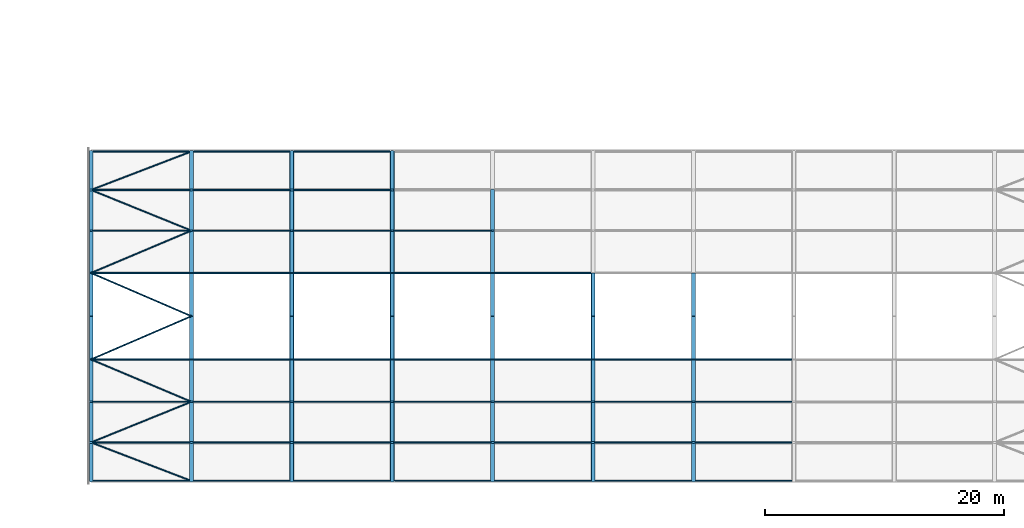
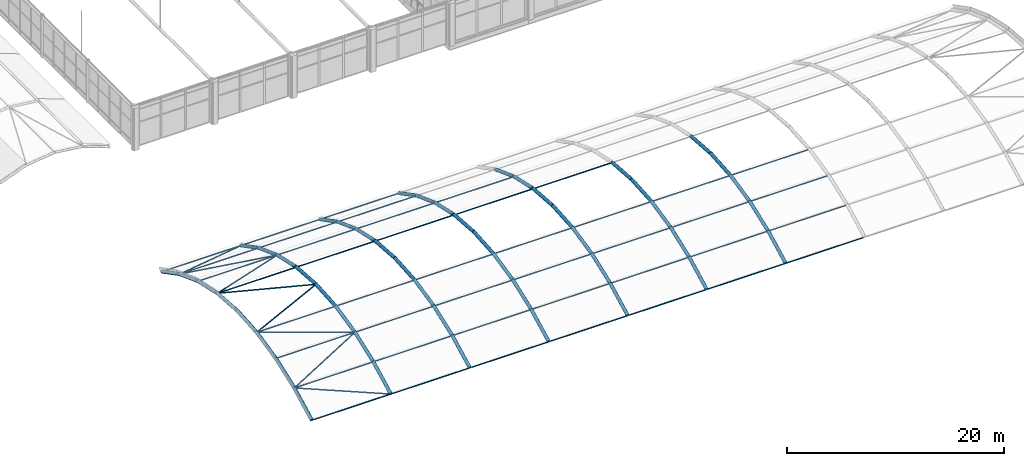
# One storey, part 16 of 167: 100 members.
"""IFC4 building model written with IfcOpenShell, lengths in metres."""

import ifcopenshell
import ifcopenshell.guid

model = None  # the IFC model being written
_history = None  # IfcOwnerHistory: only IFC2X3 demands one
_inside = {}  # id of a spatial element -> (the spatial element, [elements in it])
_under = {}  # id of a project, library or spatial element -> (it, [spatial elements below it])
_declared = {}  # id of a project -> (the project, [libraries it declares])
_typed = {}  # id of a type object -> (the type object, [elements of that type])
_made_of = {}  # id of a material, layer set ... -> (it, [elements and type objects made of it])


def new_model(schema):
    """Start an empty IFC model of exactly this schema.

    Asked for "IFC4X3", IfcOpenShell would pick the latest addendum, in which some entities
    have other attributes; the version numbers below select the first issue.
    IFC2X3 requires an IfcOwnerHistory on every rooted entity: one is made here for all.
    """
    global model, _history
    if schema == "IFC4X3":
        model = ifcopenshell.file(schema_version=(4, 3, 0, 0))
    else:
        model = ifcopenshell.file(schema=schema)
    _inside.clear()
    _under.clear()
    _declared.clear()
    _typed.clear()
    _made_of.clear()
    _history = None
    if model.schema == "IFC2X3":
        org = make("IfcOrganization", Name="unknown")
        user = make(
            "IfcPersonAndOrganization",
            ThePerson=make("IfcPerson", FamilyName="unknown"),
            TheOrganization=org,
        )
        app = make(
            "IfcApplication",
            ApplicationDeveloper=org,
            Version="unknown",
            ApplicationFullName="unknown",
            ApplicationIdentifier="unknown",
        )
        _history = make(
            "IfcOwnerHistory",
            OwningUser=user,
            OwningApplication=app,
            ChangeAction="ADDED",
            CreationDate=0,
        )
    return model


def make(cls, **values):
    """One entity of the class cls with the attributes given. An attribute that is None is left unset."""
    return model.create_entity(
        cls, **{name: value for name, value in values.items() if value is not None}
    )


def rooted(cls, **values):
    """An entity with a GlobalId (a new one), such as an element, a storey or a relation."""
    return make(cls, GlobalId=ifcopenshell.guid.new(), OwnerHistory=_history, **values)


def si_unit(unit_type, name, prefix=None):
    """IfcSIUnit, for example si_unit("LENGTHUNIT", "METRE", prefix="MILLI")."""
    return make("IfcSIUnit", UnitType=unit_type, Prefix=prefix, Name=name)


def assignment(units):
    """IfcUnitAssignment: the units of a project."""
    return None if units is None else make("IfcUnitAssignment", Units=units)


def point(xyz):
    """IfcCartesianPoint."""
    return None if xyz is None else make("IfcCartesianPoint", Coordinates=xyz)


def direction(xyz):
    """IfcDirection."""
    return None if xyz is None else make("IfcDirection", DirectionRatios=xyz)


def frame(location, z_axis=None, x_axis=None):
    """IfcAxis2Placement3D, a coordinate frame: its origin and axes. An axis left out is left unset."""
    return make(
        "IfcAxis2Placement3D",
        Location=point(location),
        Axis=direction(z_axis),
        RefDirection=direction(x_axis),
    )


def frame_2d(location, x_axis=None):
    """IfcAxis2Placement2D, a coordinate frame in the plane: its origin and x axis."""
    return make(
        "IfcAxis2Placement2D", Location=point(location), RefDirection=direction(x_axis)
    )


def origin():
    """The frame at (0, 0, 0) with its axes left unset."""
    return frame((0.0, 0.0, 0.0))


def origin_2d():
    """The frame at (0, 0) in the plane with its x axis left unset."""
    return frame_2d((0.0, 0.0))


def place(relative_to, where):
    """IfcLocalPlacement: puts the frame where relative to a parent placement (None: the world)."""
    return make(
        "IfcLocalPlacement", PlacementRelTo=relative_to, RelativePlacement=where
    )


def context(
    kind, dimensions, precision=None, world=None, true_north=None, identifier=None
):
    """IfcGeometricRepresentationContext, for example the 3D "Model" context."""
    return make(
        "IfcGeometricRepresentationContext",
        ContextIdentifier=identifier,
        ContextType=kind,
        CoordinateSpaceDimension=dimensions,
        Precision=precision,
        WorldCoordinateSystem=world,
        TrueNorth=true_north,
    )


def subcontext(parent, identifier, kind, view, scale=None):
    """IfcGeometricRepresentationSubContext, for example "Body" below "Model"."""
    return make(
        "IfcGeometricRepresentationSubContext",
        ContextIdentifier=identifier,
        ContextType=kind,
        ParentContext=parent,
        TargetScale=scale,
        TargetView=view,
    )


def project(units=None, contexts=None):
    """IfcProject with its units and contexts."""
    return rooted(
        "IfcProject",
        Name="project",
        RepresentationContexts=contexts,
        UnitsInContext=assignment(units),
    )


def spatial(cls, under=None, at=None, **own):
    """A site, building, storey or space (cls), placed at a placement, below another one or the project."""
    s = rooted(cls, ObjectPlacement=at, **own)
    if under is not None:
        _under.setdefault(under.id(), (under, []))[1].append(s)
    return s


def profile(cls, at=None, kind="AREA", **sizes):
    """A parametric profile (cls). Its sizes go by their IFC names, for example OverallWidth=200.0."""
    return make(cls, ProfileType=kind, Position=at, **sizes)


def hollow_circle(**sizes):
    """IfcCircleHollowProfileDef."""
    return profile("IfcCircleHollowProfileDef", **sizes)


def extrude(swept, where, along, depth):
    """IfcExtrudedAreaSolid: the profile swept, set in the frame where, extruded along a direction by depth."""
    return make(
        "IfcExtrudedAreaSolid",
        SweptArea=swept,
        Position=where,
        ExtrudedDirection=direction(along),
        Depth=depth,
    )


def shape(context_of_items, identifier, shape_type, items):
    """IfcShapeRepresentation: the items that make up one representation, for example the "Body"."""
    return make(
        "IfcShapeRepresentation",
        ContextOfItems=context_of_items,
        RepresentationIdentifier=identifier,
        RepresentationType=shape_type,
        Items=items,
    )


def material(Name=None, Category=None):
    """IfcMaterial."""
    return make("IfcMaterial", Name=Name, Category=Category)


def material_profile(
    of_material, cross_section, Name=None, Category=None, Priority=None
):
    """IfcMaterialProfile: a cross section and its material."""
    return make(
        "IfcMaterialProfile",
        Name=Name,
        Material=of_material,
        Profile=cross_section,
        Priority=Priority,
        Category=Category,
    )


def profile_set(profiles, Name=None, composite=None):
    """IfcMaterialProfileSet."""
    return make(
        "IfcMaterialProfileSet",
        Name=Name,
        MaterialProfiles=profiles,
        CompositeProfile=composite,
    )


def made_of(thing, what):
    """Note that an element or type object is made of a material, layer set ...; save() writes the relation."""
    if what is not None:
        _made_of.setdefault(what.id(), (what, []))[1].append(thing)
    return thing


def type_object(cls, material=None, **own):
    """A type object (cls), such as IfcWallType, which elements share."""
    return made_of(rooted(cls, **own), material)


def element(
    cls,
    number,
    at=None,
    inside=None,
    cuts=None,
    type_object=None,
    material=None,
    context=None,
    identifier="Body",
    shape_type=None,
    held_by="IfcProductDefinitionShape",
    body=None,
    shapes=None,
    **own,
):
    """One element of the class cls, such as IfcWall. Its Tag is "e" and its number.

    at: its placement. inside: the storey or other place that contains it. cuts: it is an
    opening in that element (IfcRelVoidsElement). A single representation is given by context,
    identifier, shape_type and body (its items); several are given by shapes. held_by: the class
    of the entity that holds the representations. save() writes the other relations.
    """
    e = rooted(cls, Tag="e%d" % number, ObjectPlacement=at, **own)
    if body is not None:
        shapes = [shape(context, identifier, shape_type, body)]
    if shapes is not None:
        e.Representation = make(held_by, Representations=shapes)
    if inside is not None:
        _inside.setdefault(inside.id(), (inside, []))[1].append(e)
    if cuts is not None:
        rooted(
            "IfcRelVoidsElement", RelatingBuildingElement=cuts, RelatedOpeningElement=e
        )
    if type_object is not None:
        _typed.setdefault(type_object.id(), (type_object, []))[1].append(e)
    return made_of(e, material)


def aggregate(whole, parts):
    """IfcRelAggregates: a whole, such as a stair, and the parts it consists of."""
    return rooted("IfcRelAggregates", RelatingObject=whole, RelatedObjects=parts)


def save(model, path):
    """Write the relations noted so far, then the file.

    IfcRelAggregates (storeys below a building ...), IfcRelContainedInSpatialStructure (elements
    in a storey), IfcRelDefinesByType, IfcRelAssociatesMaterial and IfcRelDeclares: one each for
    every whole, place, type object, material and project.
    """
    for whole, parts in _under.values():
        aggregate(whole, parts)
    for where, things in _inside.values():
        rooted(
            "IfcRelContainedInSpatialStructure",
            RelatedElements=things,
            RelatingStructure=where,
        )
    for kind, things in _typed.values():
        rooted("IfcRelDefinesByType", RelatedObjects=things, RelatingType=kind)
    for what, things in _made_of.values():
        rooted("IfcRelAssociatesMaterial", RelatedObjects=things, RelatingMaterial=what)
    for by, libraries in _declared.values():
        rooted("IfcRelDeclares", RelatingContext=by, RelatedDefinitions=libraries)
    model.write(path)


model = new_model("IFC4")

# Units and contexts
model_context = context("Model", 3, precision=1e-05, world=origin(), true_north=direction((0.0, 1.0)))
body_context = subcontext(model_context, "Body", "Model", "MODEL_VIEW")
ifc_project = project(units=[si_unit("LENGTHUNIT", "METRE"), si_unit("AREAUNIT", "SQUARE_METRE"), si_unit("VOLUMEUNIT", "CUBIC_METRE"), si_unit("PLANEANGLEUNIT", "RADIAN"), si_unit("MASSUNIT", "GRAM", prefix="KILO")], contexts=[model_context])

# Site, building, storey
site_placement = place(None, origin())
site = spatial("IfcSite", under=ifc_project, at=site_placement, CompositionType="ELEMENT")
building_placement = place(site_placement, origin())
building = spatial("IfcBuilding", under=site, at=building_placement, Name="Catenary Quay Ferry Terminal", CompositionType="ELEMENT")
storey_placement = place(building_placement, frame((0.0, 0.0, 6.0)))
storey = spatial("IfcBuildingStorey", under=building, at=storey_placement, Name="L01", CompositionType="ELEMENT", Elevation=6.0)

# Members
ifc_material_1 = material(Name="Steel S355", Category="steel")
ifc_material_profile_1 = material_profile(ifc_material_1, hollow_circle(Radius=0.06982421875, WallThickness=0.008056640625, at=origin_2d()), Name="CHS 139.7x8")
ifc_profile_set_1 = profile_set([ifc_material_profile_1], Name="Steel S355")
member_type_1 = type_object("IfcMemberType", Name="BR1 CHS 139.7x8", PredefinedType="BRACE", material=ifc_profile_set_1)
for number, where, z_axis, x_axis, name in (
    (1, (25.199951171875, 19.818115234375, 1.012939453125), (-0.918039723201, 0.351916116645, 0.182642036427), (-0.357936800367, -0.933745814953, 0.0), "Roof brace BR-CA-01-02"),
    (2, (16.800048828125, 23.0380859375, 2.68408203125), (0.918029973188, 0.371790665768, 0.13781389326), (-0.375372416103, 0.926874074095, 0.0), "Roof brace BR-CA-01-03"),
):
    element("IfcMember", number, at=place(storey_placement, frame(where, z_axis=z_axis, x_axis=x_axis)), inside=storey, type_object=member_type_1, Name=name, PredefinedType="BRACE", context=body_context, shape_type="SweptSolid", body=[
        extrude(hollow_circle(Radius=0.06982421875, WallThickness=0.008056640625, at=origin_2d()), origin(), (0.0, 0.0, 1.0), 9.14990234375),
    ])
member_1_placement = place(storey_placement, frame((25.199951171875, 26.43994140625, 3.945068359375), z_axis=(-0.918018139604, 0.387101295395, 0.085995828168), x_axis=(-0.388540645343, -0.921431585586, 0.0)))
element("IfcMember", 3, at=member_1_placement, inside=storey, type_object=member_type_1, Name="Roof brace BR-CA-01-04", PredefinedType="BRACE", context=body_context, shape_type="SweptSolid", body=[
    extrude(hollow_circle(Radius=0.06982421875, WallThickness=0.008056640625, at=origin_2d()), origin(), (0.0, 0.0, 1.0), 9.150146484375),
])
for number, where, z_axis, x_axis, name in (
    (4, (16.800048828125, 29.98193359375, 4.73193359375), (0.918028527788, 0.39543052903, 0.029297079681), (-0.395600341097, 0.918422762198, 0.0), "Roof brace BR-CA-01-05"),
    (5, (25.199951171875, 33.60009765625, 5.0), (-0.918038213702, 0.395408018626, -0.029297388788), (-0.395577824611, -0.918432460596, 0.0), "Roof brace BR-CA-01-06"),
):
    element("IfcMember", number, at=place(storey_placement, frame(where, z_axis=z_axis, x_axis=x_axis)), inside=storey, type_object=member_type_1, Name=name, PredefinedType="BRACE", context=body_context, shape_type="SweptSolid", body=[
        extrude(hollow_circle(Radius=0.06982421875, WallThickness=0.008056640625, at=origin_2d()), origin(), (0.0, 0.0, 1.0), 9.14990234375),
    ])
member_2_placement = place(storey_placement, frame((16.800048828125, 37.218017578125, 4.73193359375), z_axis=(0.918018139604, 0.387101295395, -0.085995828168), x_axis=(-0.388540645343, 0.921431585586, 0.0)))
element("IfcMember", 6, at=member_2_placement, inside=storey, type_object=member_type_1, Name="Roof brace BR-CA-01-07", PredefinedType="BRACE", context=body_context, shape_type="SweptSolid", body=[
    extrude(hollow_circle(Radius=0.06982421875, WallThickness=0.008056640625, at=origin_2d()), origin(), (0.0, 0.0, 1.0), 9.150146484375),
])
for number, where, z_axis, x_axis, name in (
    (7, (25.199951171875, 40.760009765625, 3.945068359375), (-0.918020865941, 0.371813659446, -0.137812526088), (-0.375395559198, -0.926864701094, 0.0), "Roof brace BR-CA-01-08"),
    (8, (16.800048828125, 44.162109375, 2.68408203125), (0.918039723201, 0.351916116645, -0.182642036427), (-0.357936800367, 0.933745814953, 0.0), "Roof brace BR-CA-01-09"),
):
    element("IfcMember", number, at=place(storey_placement, frame(where, z_axis=z_axis, x_axis=x_axis)), inside=storey, type_object=member_type_1, Name=name, PredefinedType="BRACE", context=body_context, shape_type="SweptSolid", body=[
        extrude(hollow_circle(Radius=0.06982421875, WallThickness=0.008056640625, at=origin_2d()), origin(), (0.0, 0.0, 1.0), 9.14990234375),
    ])
ifc_material_2 = material(Name="Steel S355", Category="steel")
ifc_material_profile_2 = material_profile(ifc_material_2, hollow_circle(Radius=0.06982421875, WallThickness=0.008056640625, at=origin_2d()), Name="CHS 139.7x8")
ifc_profile_set_2 = profile_set([ifc_material_profile_2], Name="Steel S355")
member_type_2 = type_object("IfcMemberType", Name="PU1 CHS 139.7x8", PredefinedType="PURLIN", material=ifc_profile_set_2)
for number, where, z_axis, x_axis, name in (
    (9, (16.971923828125, 19.818115234375, 1.012939453125), (1.0, 0.0, 0.0), (0.0, 1.0, 0.0), "Purlin PU-CA-01-01"),
    (10, (16.971923828125, 23.0380859375, 2.68408203125), (1.0, 0.0, 0.0), (0.0, 1.0, 0.0), "Purlin PU-CA-01-02"),
    (11, (16.971923828125, 26.43994140625, 3.945068359375), (1.0, 0.0, 0.0), (0.0, 1.0, 0.0), "Purlin PU-CA-01-03"),
    (12, (16.971923828125, 29.98193359375, 4.73193359375), (1.0, 0.0, 0.0), (0.0, 1.0, 0.0), "Purlin PU-CA-01-04"),
    (13, (16.971923828125, 37.218017578125, 4.73193359375), (1.0, 0.0, 0.0), (0.0, 1.0, 0.0), "Purlin PU-CA-01-06"),
    (14, (16.971923828125, 40.760009765625, 3.945068359375), (1.0, 0.0, 0.0), (0.0, 1.0, 0.0), "Purlin PU-CA-01-07"),
    (15, (16.971923828125, 44.162109375, 2.68408203125), (1.0, 0.0, 0.0), (0.0, 1.0, 0.0), "Purlin PU-CA-01-08"),
    (16, (16.971923828125, 47.382080078125, 1.012939453125), (1.0, 0.0, 0.0), (0.0, 1.0, 0.0), "Purlin PU-CA-01-09"),
):
    element("IfcMember", number, at=place(storey_placement, frame(where, z_axis=z_axis, x_axis=x_axis)), inside=storey, type_object=member_type_2, Name=name, PredefinedType="PURLIN", context=body_context, shape_type="SweptSolid", body=[
        extrude(hollow_circle(Radius=0.06982421875, WallThickness=0.008056640625, at=origin_2d()), origin(), (0.0, 0.0, 1.0), 8.05615234375),
    ])
for number, where, z_axis, x_axis, name in (
    (17, (25.3720703125, 19.818115234375, 1.012939453125), (1.0, 0.0, 0.0), (0.0, 1.0, 0.0), "Purlin PU-CA-02-01"),
    (18, (25.3720703125, 23.0380859375, 2.68408203125), (1.0, 0.0, 0.0), (0.0, 1.0, 0.0), "Purlin PU-CA-02-02"),
    (19, (25.3720703125, 26.43994140625, 3.945068359375), (1.0, 0.0, 0.0), (0.0, 1.0, 0.0), "Purlin PU-CA-02-03"),
    (20, (25.3720703125, 29.98193359375, 4.73193359375), (1.0, 0.0, 0.0), (0.0, 1.0, 0.0), "Purlin PU-CA-02-04"),
    (21, (25.3720703125, 37.218017578125, 4.73193359375), (1.0, 0.0, 0.0), (0.0, 1.0, 0.0), "Purlin PU-CA-02-06"),
    (22, (25.3720703125, 40.760009765625, 3.945068359375), (1.0, 0.0, 0.0), (0.0, 1.0, 0.0), "Purlin PU-CA-02-07"),
    (23, (25.3720703125, 44.162109375, 2.68408203125), (1.0, 0.0, 0.0), (0.0, 1.0, 0.0), "Purlin PU-CA-02-08"),
    (24, (25.3720703125, 47.382080078125, 1.012939453125), (1.0, 0.0, 0.0), (0.0, 1.0, 0.0), "Purlin PU-CA-02-09"),
    (25, (33.77197265625, 19.818115234375, 1.012939453125), (1.0, 0.0, 0.0), (0.0, 1.0, 0.0), "Purlin PU-CA-03-01"),
    (26, (33.77197265625, 23.0380859375, 2.68408203125), (1.0, 0.0, 0.0), (0.0, 1.0, 0.0), "Purlin PU-CA-03-02"),
    (27, (33.77197265625, 26.43994140625, 3.945068359375), (1.0, 0.0, 0.0), (0.0, 1.0, 0.0), "Purlin PU-CA-03-03"),
    (28, (33.77197265625, 29.98193359375, 4.73193359375), (1.0, 0.0, 0.0), (0.0, 1.0, 0.0), "Purlin PU-CA-03-04"),
    (29, (33.77197265625, 37.218017578125, 4.73193359375), (1.0, 0.0, 0.0), (0.0, 1.0, 0.0), "Purlin PU-CA-03-06"),
    (30, (33.77197265625, 40.760009765625, 3.945068359375), (1.0, 0.0, 0.0), (0.0, 1.0, 0.0), "Purlin PU-CA-03-07"),
    (31, (33.77197265625, 44.162109375, 2.68408203125), (1.0, 0.0, 0.0), (0.0, 1.0, 0.0), "Purlin PU-CA-03-08"),
    (32, (33.77197265625, 47.382080078125, 1.012939453125), (1.0, 0.0, 0.0), (0.0, 1.0, 0.0), "Purlin PU-CA-03-09"),
    (33, (42.172119140625, 19.818115234375, 1.012939453125), (1.0, 0.0, 0.0), (0.0, 1.0, 0.0), "Purlin PU-CA-04-01"),
    (34, (42.172119140625, 23.0380859375, 2.68408203125), (1.0, 0.0, 0.0), (0.0, 1.0, 0.0), "Purlin PU-CA-04-02"),
    (35, (42.172119140625, 26.43994140625, 3.945068359375), (1.0, 0.0, 0.0), (0.0, 1.0, 0.0), "Purlin PU-CA-04-03"),
    (36, (42.172119140625, 29.98193359375, 4.73193359375), (1.0, 0.0, 0.0), (0.0, 1.0, 0.0), "Purlin PU-CA-04-04"),
    (37, (42.172119140625, 37.218017578125, 4.73193359375), (1.0, 0.0, 0.0), (0.0, 1.0, 0.0), "Purlin PU-CA-04-06"),
    (38, (42.172119140625, 40.760009765625, 3.945068359375), (1.0, 0.0, 0.0), (0.0, 1.0, 0.0), "Purlin PU-CA-04-07"),
    (39, (50.572021484375, 19.818115234375, 1.012939453125), (1.0, 0.0, 0.0), (0.0, 1.0, 0.0), "Purlin PU-CA-05-01"),
    (40, (50.572021484375, 23.0380859375, 2.68408203125), (1.0, 0.0, 0.0), (0.0, 1.0, 0.0), "Purlin PU-CA-05-02"),
    (41, (50.572021484375, 26.43994140625, 3.945068359375), (1.0, 0.0, 0.0), (0.0, 1.0, 0.0), "Purlin PU-CA-05-03"),
    (42, (50.572021484375, 29.98193359375, 4.73193359375), (1.0, 0.0, 0.0), (0.0, 1.0, 0.0), "Purlin PU-CA-05-04"),
    (43, (50.572021484375, 37.218017578125, 4.73193359375), (1.0, 0.0, 0.0), (0.0, 1.0, 0.0), "Purlin PU-CA-05-06"),
):
    element("IfcMember", number, at=place(storey_placement, frame(where, z_axis=z_axis, x_axis=x_axis)), inside=storey, type_object=member_type_2, Name=name, PredefinedType="PURLIN", context=body_context, shape_type="SweptSolid", body=[
        extrude(hollow_circle(Radius=0.06982421875, WallThickness=0.008056640625, at=origin_2d()), origin(), (0.0, 0.0, 1.0), 8.055908203125),
    ])
for number, where, z_axis, x_axis, name in (
    (44, (58.971923828125, 19.818115234375, 1.012939453125), (1.0, 0.0, 0.0), (0.0, 1.0, 0.0), "Purlin PU-CA-06-01"),
    (45, (58.971923828125, 23.0380859375, 2.68408203125), (1.0, 0.0, 0.0), (0.0, 1.0, 0.0), "Purlin PU-CA-06-02"),
    (46, (58.971923828125, 26.43994140625, 3.945068359375), (1.0, 0.0, 0.0), (0.0, 1.0, 0.0), "Purlin PU-CA-06-03"),
    (47, (58.971923828125, 29.98193359375, 4.73193359375), (1.0, 0.0, 0.0), (0.0, 1.0, 0.0), "Purlin PU-CA-06-04"),
):
    element("IfcMember", number, at=place(storey_placement, frame(where, z_axis=z_axis, x_axis=x_axis)), inside=storey, type_object=member_type_2, Name=name, PredefinedType="PURLIN", context=body_context, shape_type="SweptSolid", body=[
        extrude(hollow_circle(Radius=0.06982421875, WallThickness=0.008056640625, at=origin_2d()), origin(), (0.0, 0.0, 1.0), 8.05615234375),
    ])
for number, where, z_axis, x_axis, name in (
    (48, (67.3720703125, 19.818115234375, 1.012939453125), (1.0, 0.0, 0.0), (0.0, 1.0, 0.0), "Purlin PU-CA-07-01"),
    (49, (67.3720703125, 23.0380859375, 2.68408203125), (1.0, 0.0, 0.0), (0.0, 1.0, 0.0), "Purlin PU-CA-07-02"),
    (50, (67.3720703125, 26.43994140625, 3.945068359375), (1.0, 0.0, 0.0), (0.0, 1.0, 0.0), "Purlin PU-CA-07-03"),
    (51, (67.3720703125, 29.98193359375, 4.73193359375), (1.0, 0.0, 0.0), (0.0, 1.0, 0.0), "Purlin PU-CA-07-04"),
):
    element("IfcMember", number, at=place(storey_placement, frame(where, z_axis=z_axis, x_axis=x_axis)), inside=storey, type_object=member_type_2, Name=name, PredefinedType="PURLIN", context=body_context, shape_type="SweptSolid", body=[
        extrude(hollow_circle(Radius=0.06982421875, WallThickness=0.008056640625, at=origin_2d()), origin(), (0.0, 0.0, 1.0), 8.055908203125),
    ])
ifc_material_3 = material(Name="Steel S355", Category="steel")
ifc_material_profile_3 = material_profile(ifc_material_3, hollow_circle(Radius=0.177734375, WallThickness=0.012451171875, at=origin_2d()), Name="CHS 355.6x12.5")
ifc_profile_set_3 = profile_set([ifc_material_profile_3], Name="Steel S355")
member_type_3 = type_object("IfcMemberType", Name="VR1 CHS 355.6x12.5", PredefinedType="RAFTER", material=ifc_profile_set_3)
member_3_placement = place(storey_placement, frame((16.800048828125, 19.818115234375, 1.012939453125), z_axis=(0.0, 0.887582334138, 0.460649107376), x_axis=(-1.0, 0.0, 0.0)))
element("IfcMember", 52, at=member_3_placement, inside=storey, type_object=member_type_3, Name="rib CA-01-02", PredefinedType="RAFTER", context=body_context, shape_type="SweptSolid", body=[
    extrude(hollow_circle(Radius=0.177734375, WallThickness=0.012451171875, at=origin_2d()), origin(), (0.0, 0.0, 1.0), 3.627685546875),
])
member_4_placement = place(storey_placement, frame((16.800048828125, 23.0380859375, 2.68408203125), z_axis=(0.0, 0.93765537762, 0.347566386207), x_axis=(-1.0, 0.0, 0.0)))
element("IfcMember", 53, at=member_4_placement, inside=storey, type_object=member_type_3, Name="rib CA-01-03", PredefinedType="RAFTER", context=body_context, shape_type="SweptSolid", body=[
    extrude(hollow_circle(Radius=0.177734375, WallThickness=0.012451171875, at=origin_2d()), origin(), (0.0, 0.0, 1.0), 3.6279296875),
])
member_5_placement = place(storey_placement, frame((16.800048828125, 26.43994140625, 3.945068359375), z_axis=(0.0, 0.976201307112, 0.216866336698), x_axis=(-1.0, 0.0, 0.0)))
element("IfcMember", 54, at=member_5_placement, inside=storey, type_object=member_type_3, Name="rib CA-01-04", PredefinedType="RAFTER", context=body_context, shape_type="SweptSolid", body=[
    extrude(hollow_circle(Radius=0.177734375, WallThickness=0.012451171875, at=origin_2d()), origin(), (0.0, 0.0, 1.0), 3.62841796875),
])
member_6_placement = place(storey_placement, frame((16.800048828125, 29.98193359375, 4.73193359375), z_axis=(0.0, 0.997266652704, 0.07388655767), x_axis=(-1.0, 0.0, 0.0)))
element("IfcMember", 55, at=member_6_placement, inside=storey, type_object=member_type_3, Name="rib CA-01-05", PredefinedType="RAFTER", context=body_context, shape_type="SweptSolid", body=[
    extrude(hollow_circle(Radius=0.177734375, WallThickness=0.012451171875, at=origin_2d()), origin(), (0.0, 0.0, 1.0), 3.628173828125),
])
member_7_placement = place(storey_placement, frame((16.800048828125, 33.60009765625, 5.0), z_axis=(0.0, 0.997266285305, -0.073891516382), x_axis=(-1.0, 0.0, 0.0)))
element("IfcMember", 56, at=member_7_placement, inside=storey, type_object=member_type_3, Name="rib CA-01-06", PredefinedType="RAFTER", context=body_context, shape_type="SweptSolid", body=[
    extrude(hollow_circle(Radius=0.177734375, WallThickness=0.012451171875, at=origin_2d()), origin(), (0.0, 0.0, 1.0), 3.6279296875),
])
member_8_placement = place(storey_placement, frame((16.800048828125, 37.218017578125, 4.73193359375), z_axis=(0.0, 0.976201307112, -0.216866336698), x_axis=(-1.0, 0.0, 0.0)))
element("IfcMember", 57, at=member_8_placement, inside=storey, type_object=member_type_3, Name="rib CA-01-07", PredefinedType="RAFTER", context=body_context, shape_type="SweptSolid", body=[
    extrude(hollow_circle(Radius=0.177734375, WallThickness=0.012451171875, at=origin_2d()), origin(), (0.0, 0.0, 1.0), 3.62841796875),
])
member_9_placement = place(storey_placement, frame((16.800048828125, 40.760009765625, 3.945068359375), z_axis=(0.0, 0.93766350596, -0.347544456999), x_axis=(-1.0, 0.0, 0.0)))
element("IfcMember", 58, at=member_9_placement, inside=storey, type_object=member_type_3, Name="rib CA-01-08", PredefinedType="RAFTER", context=body_context, shape_type="SweptSolid", body=[
    extrude(hollow_circle(Radius=0.177734375, WallThickness=0.012451171875, at=origin_2d()), origin(), (0.0, 0.0, 1.0), 3.628173828125),
])
for number, where, z_axis, x_axis, name in (
    (59, (16.800048828125, 44.162109375, 2.68408203125), (0.0, 0.887582334138, -0.460649107376), (-1.0, 0.0, 0.0), "rib CA-01-09"),
    (60, (25.199951171875, 19.818115234375, 1.012939453125), (0.0, 0.887582334138, 0.460649107376), (-1.0, 0.0, 0.0), "rib CA-02-02"),
):
    element("IfcMember", number, at=place(storey_placement, frame(where, z_axis=z_axis, x_axis=x_axis)), inside=storey, type_object=member_type_3, Name=name, PredefinedType="RAFTER", context=body_context, shape_type="SweptSolid", body=[
        extrude(hollow_circle(Radius=0.177734375, WallThickness=0.012451171875, at=origin_2d()), origin(), (0.0, 0.0, 1.0), 3.627685546875),
    ])
member_10_placement = place(storey_placement, frame((25.199951171875, 23.0380859375, 2.68408203125), z_axis=(0.0, 0.93765537762, 0.347566386207), x_axis=(-1.0, 0.0, 0.0)))
element("IfcMember", 61, at=member_10_placement, inside=storey, type_object=member_type_3, Name="rib CA-02-03", PredefinedType="RAFTER", context=body_context, shape_type="SweptSolid", body=[
    extrude(hollow_circle(Radius=0.177734375, WallThickness=0.012451171875, at=origin_2d()), origin(), (0.0, 0.0, 1.0), 3.6279296875),
])
member_11_placement = place(storey_placement, frame((25.199951171875, 26.43994140625, 3.945068359375), z_axis=(0.0, 0.976201307112, 0.216866336698), x_axis=(-1.0, 0.0, 0.0)))
element("IfcMember", 62, at=member_11_placement, inside=storey, type_object=member_type_3, Name="rib CA-02-04", PredefinedType="RAFTER", context=body_context, shape_type="SweptSolid", body=[
    extrude(hollow_circle(Radius=0.177734375, WallThickness=0.012451171875, at=origin_2d()), origin(), (0.0, 0.0, 1.0), 3.62841796875),
])
member_12_placement = place(storey_placement, frame((25.199951171875, 29.98193359375, 4.73193359375), z_axis=(0.0, 0.997266652704, 0.07388655767), x_axis=(-1.0, 0.0, 0.0)))
element("IfcMember", 63, at=member_12_placement, inside=storey, type_object=member_type_3, Name="rib CA-02-05", PredefinedType="RAFTER", context=body_context, shape_type="SweptSolid", body=[
    extrude(hollow_circle(Radius=0.177734375, WallThickness=0.012451171875, at=origin_2d()), origin(), (0.0, 0.0, 1.0), 3.628173828125),
])
member_13_placement = place(storey_placement, frame((25.199951171875, 33.60009765625, 5.0), z_axis=(0.0, 0.997266285305, -0.073891516382), x_axis=(-1.0, 0.0, 0.0)))
element("IfcMember", 64, at=member_13_placement, inside=storey, type_object=member_type_3, Name="rib CA-02-06", PredefinedType="RAFTER", context=body_context, shape_type="SweptSolid", body=[
    extrude(hollow_circle(Radius=0.177734375, WallThickness=0.012451171875, at=origin_2d()), origin(), (0.0, 0.0, 1.0), 3.6279296875),
])
member_14_placement = place(storey_placement, frame((25.199951171875, 37.218017578125, 4.73193359375), z_axis=(0.0, 0.976201307112, -0.216866336698), x_axis=(-1.0, 0.0, 0.0)))
element("IfcMember", 65, at=member_14_placement, inside=storey, type_object=member_type_3, Name="rib CA-02-07", PredefinedType="RAFTER", context=body_context, shape_type="SweptSolid", body=[
    extrude(hollow_circle(Radius=0.177734375, WallThickness=0.012451171875, at=origin_2d()), origin(), (0.0, 0.0, 1.0), 3.62841796875),
])
member_15_placement = place(storey_placement, frame((25.199951171875, 40.760009765625, 3.945068359375), z_axis=(0.0, 0.93766350596, -0.347544456999), x_axis=(-1.0, 0.0, 0.0)))
element("IfcMember", 66, at=member_15_placement, inside=storey, type_object=member_type_3, Name="rib CA-02-08", PredefinedType="RAFTER", context=body_context, shape_type="SweptSolid", body=[
    extrude(hollow_circle(Radius=0.177734375, WallThickness=0.012451171875, at=origin_2d()), origin(), (0.0, 0.0, 1.0), 3.628173828125),
])
for number, where, z_axis, x_axis, name in (
    (67, (25.199951171875, 44.162109375, 2.68408203125), (0.0, 0.887582334138, -0.460649107376), (-1.0, 0.0, 0.0), "rib CA-02-09"),
    (68, (33.60009765625, 19.818115234375, 1.012939453125), (0.0, 0.887582334138, 0.460649107376), (-1.0, 0.0, 0.0), "rib CA-03-02"),
):
    element("IfcMember", number, at=place(storey_placement, frame(where, z_axis=z_axis, x_axis=x_axis)), inside=storey, type_object=member_type_3, Name=name, PredefinedType="RAFTER", context=body_context, shape_type="SweptSolid", body=[
        extrude(hollow_circle(Radius=0.177734375, WallThickness=0.012451171875, at=origin_2d()), origin(), (0.0, 0.0, 1.0), 3.627685546875),
    ])
member_16_placement = place(storey_placement, frame((33.60009765625, 23.0380859375, 2.68408203125), z_axis=(0.0, 0.93765537762, 0.347566386207), x_axis=(-1.0, 0.0, 0.0)))
element("IfcMember", 69, at=member_16_placement, inside=storey, type_object=member_type_3, Name="rib CA-03-03", PredefinedType="RAFTER", context=body_context, shape_type="SweptSolid", body=[
    extrude(hollow_circle(Radius=0.177734375, WallThickness=0.012451171875, at=origin_2d()), origin(), (0.0, 0.0, 1.0), 3.6279296875),
])
member_17_placement = place(storey_placement, frame((33.60009765625, 26.43994140625, 3.945068359375), z_axis=(0.0, 0.976201307112, 0.216866336698), x_axis=(-1.0, 0.0, 0.0)))
element("IfcMember", 70, at=member_17_placement, inside=storey, type_object=member_type_3, Name="rib CA-03-04", PredefinedType="RAFTER", context=body_context, shape_type="SweptSolid", body=[
    extrude(hollow_circle(Radius=0.177734375, WallThickness=0.012451171875, at=origin_2d()), origin(), (0.0, 0.0, 1.0), 3.62841796875),
])
member_18_placement = place(storey_placement, frame((33.60009765625, 29.98193359375, 4.73193359375), z_axis=(0.0, 0.997266652704, 0.07388655767), x_axis=(-1.0, 0.0, 0.0)))
element("IfcMember", 71, at=member_18_placement, inside=storey, type_object=member_type_3, Name="rib CA-03-05", PredefinedType="RAFTER", context=body_context, shape_type="SweptSolid", body=[
    extrude(hollow_circle(Radius=0.177734375, WallThickness=0.012451171875, at=origin_2d()), origin(), (0.0, 0.0, 1.0), 3.628173828125),
])
member_19_placement = place(storey_placement, frame((33.60009765625, 33.60009765625, 5.0), z_axis=(0.0, 0.997266285305, -0.073891516382), x_axis=(-1.0, 0.0, 0.0)))
element("IfcMember", 72, at=member_19_placement, inside=storey, type_object=member_type_3, Name="rib CA-03-06", PredefinedType="RAFTER", context=body_context, shape_type="SweptSolid", body=[
    extrude(hollow_circle(Radius=0.177734375, WallThickness=0.012451171875, at=origin_2d()), origin(), (0.0, 0.0, 1.0), 3.6279296875),
])
member_20_placement = place(storey_placement, frame((33.60009765625, 37.218017578125, 4.73193359375), z_axis=(0.0, 0.976201307112, -0.216866336698), x_axis=(-1.0, 0.0, 0.0)))
element("IfcMember", 73, at=member_20_placement, inside=storey, type_object=member_type_3, Name="rib CA-03-07", PredefinedType="RAFTER", context=body_context, shape_type="SweptSolid", body=[
    extrude(hollow_circle(Radius=0.177734375, WallThickness=0.012451171875, at=origin_2d()), origin(), (0.0, 0.0, 1.0), 3.62841796875),
])
member_21_placement = place(storey_placement, frame((33.60009765625, 40.760009765625, 3.945068359375), z_axis=(0.0, 0.93766350596, -0.347544456999), x_axis=(-1.0, 0.0, 0.0)))
element("IfcMember", 74, at=member_21_placement, inside=storey, type_object=member_type_3, Name="rib CA-03-08", PredefinedType="RAFTER", context=body_context, shape_type="SweptSolid", body=[
    extrude(hollow_circle(Radius=0.177734375, WallThickness=0.012451171875, at=origin_2d()), origin(), (0.0, 0.0, 1.0), 3.628173828125),
])
for number, where, z_axis, x_axis, name in (
    (75, (33.60009765625, 44.162109375, 2.68408203125), (0.0, 0.887582334138, -0.460649107376), (-1.0, 0.0, 0.0), "rib CA-03-09"),
    (76, (42.0, 19.818115234375, 1.012939453125), (0.0, 0.887582334138, 0.460649107376), (-1.0, 0.0, 0.0), "rib CA-04-02"),
):
    element("IfcMember", number, at=place(storey_placement, frame(where, z_axis=z_axis, x_axis=x_axis)), inside=storey, type_object=member_type_3, Name=name, PredefinedType="RAFTER", context=body_context, shape_type="SweptSolid", body=[
        extrude(hollow_circle(Radius=0.177734375, WallThickness=0.012451171875, at=origin_2d()), origin(), (0.0, 0.0, 1.0), 3.627685546875),
    ])
member_22_placement = place(storey_placement, frame((42.0, 23.0380859375, 2.68408203125), z_axis=(0.0, 0.93765537762, 0.347566386207), x_axis=(-1.0, 0.0, 0.0)))
element("IfcMember", 77, at=member_22_placement, inside=storey, type_object=member_type_3, Name="rib CA-04-03", PredefinedType="RAFTER", context=body_context, shape_type="SweptSolid", body=[
    extrude(hollow_circle(Radius=0.177734375, WallThickness=0.012451171875, at=origin_2d()), origin(), (0.0, 0.0, 1.0), 3.6279296875),
])
member_23_placement = place(storey_placement, frame((42.0, 26.43994140625, 3.945068359375), z_axis=(0.0, 0.976201307112, 0.216866336698), x_axis=(-1.0, 0.0, 0.0)))
element("IfcMember", 78, at=member_23_placement, inside=storey, type_object=member_type_3, Name="rib CA-04-04", PredefinedType="RAFTER", context=body_context, shape_type="SweptSolid", body=[
    extrude(hollow_circle(Radius=0.177734375, WallThickness=0.012451171875, at=origin_2d()), origin(), (0.0, 0.0, 1.0), 3.62841796875),
])
member_24_placement = place(storey_placement, frame((42.0, 29.98193359375, 4.73193359375), z_axis=(0.0, 0.997266652704, 0.07388655767), x_axis=(-1.0, 0.0, 0.0)))
element("IfcMember", 79, at=member_24_placement, inside=storey, type_object=member_type_3, Name="rib CA-04-05", PredefinedType="RAFTER", context=body_context, shape_type="SweptSolid", body=[
    extrude(hollow_circle(Radius=0.177734375, WallThickness=0.012451171875, at=origin_2d()), origin(), (0.0, 0.0, 1.0), 3.628173828125),
])
member_25_placement = place(storey_placement, frame((42.0, 33.60009765625, 5.0), z_axis=(0.0, 0.997266285305, -0.073891516382), x_axis=(-1.0, 0.0, 0.0)))
element("IfcMember", 80, at=member_25_placement, inside=storey, type_object=member_type_3, Name="rib CA-04-06", PredefinedType="RAFTER", context=body_context, shape_type="SweptSolid", body=[
    extrude(hollow_circle(Radius=0.177734375, WallThickness=0.012451171875, at=origin_2d()), origin(), (0.0, 0.0, 1.0), 3.6279296875),
])
member_26_placement = place(storey_placement, frame((42.0, 37.218017578125, 4.73193359375), z_axis=(0.0, 0.976201307112, -0.216866336698), x_axis=(-1.0, 0.0, 0.0)))
element("IfcMember", 81, at=member_26_placement, inside=storey, type_object=member_type_3, Name="rib CA-04-07", PredefinedType="RAFTER", context=body_context, shape_type="SweptSolid", body=[
    extrude(hollow_circle(Radius=0.177734375, WallThickness=0.012451171875, at=origin_2d()), origin(), (0.0, 0.0, 1.0), 3.62841796875),
])
member_27_placement = place(storey_placement, frame((42.0, 40.760009765625, 3.945068359375), z_axis=(0.0, 0.93766350596, -0.347544456999), x_axis=(-1.0, 0.0, 0.0)))
element("IfcMember", 82, at=member_27_placement, inside=storey, type_object=member_type_3, Name="rib CA-04-08", PredefinedType="RAFTER", context=body_context, shape_type="SweptSolid", body=[
    extrude(hollow_circle(Radius=0.177734375, WallThickness=0.012451171875, at=origin_2d()), origin(), (0.0, 0.0, 1.0), 3.628173828125),
])
for number, where, z_axis, x_axis, name in (
    (83, (42.0, 44.162109375, 2.68408203125), (0.0, 0.887582334138, -0.460649107376), (-1.0, 0.0, 0.0), "rib CA-04-09"),
    (84, (50.39990234375, 19.818115234375, 1.012939453125), (0.0, 0.887582334138, 0.460649107376), (-1.0, 0.0, 0.0), "rib CA-05-02"),
):
    element("IfcMember", number, at=place(storey_placement, frame(where, z_axis=z_axis, x_axis=x_axis)), inside=storey, type_object=member_type_3, Name=name, PredefinedType="RAFTER", context=body_context, shape_type="SweptSolid", body=[
        extrude(hollow_circle(Radius=0.177734375, WallThickness=0.012451171875, at=origin_2d()), origin(), (0.0, 0.0, 1.0), 3.627685546875),
    ])
member_28_placement = place(storey_placement, frame((50.39990234375, 23.0380859375, 2.68408203125), z_axis=(0.0, 0.93765537762, 0.347566386207), x_axis=(-1.0, 0.0, 0.0)))
element("IfcMember", 85, at=member_28_placement, inside=storey, type_object=member_type_3, Name="rib CA-05-03", PredefinedType="RAFTER", context=body_context, shape_type="SweptSolid", body=[
    extrude(hollow_circle(Radius=0.177734375, WallThickness=0.012451171875, at=origin_2d()), origin(), (0.0, 0.0, 1.0), 3.6279296875),
])
member_29_placement = place(storey_placement, frame((50.39990234375, 26.43994140625, 3.945068359375), z_axis=(0.0, 0.976201307112, 0.216866336698), x_axis=(-1.0, 0.0, 0.0)))
element("IfcMember", 86, at=member_29_placement, inside=storey, type_object=member_type_3, Name="rib CA-05-04", PredefinedType="RAFTER", context=body_context, shape_type="SweptSolid", body=[
    extrude(hollow_circle(Radius=0.177734375, WallThickness=0.012451171875, at=origin_2d()), origin(), (0.0, 0.0, 1.0), 3.62841796875),
])
member_30_placement = place(storey_placement, frame((50.39990234375, 29.98193359375, 4.73193359375), z_axis=(0.0, 0.997266652704, 0.07388655767), x_axis=(-1.0, 0.0, 0.0)))
element("IfcMember", 87, at=member_30_placement, inside=storey, type_object=member_type_3, Name="rib CA-05-05", PredefinedType="RAFTER", context=body_context, shape_type="SweptSolid", body=[
    extrude(hollow_circle(Radius=0.177734375, WallThickness=0.012451171875, at=origin_2d()), origin(), (0.0, 0.0, 1.0), 3.628173828125),
])
member_31_placement = place(storey_placement, frame((50.39990234375, 33.60009765625, 5.0), z_axis=(0.0, 0.997266285305, -0.073891516382), x_axis=(-1.0, 0.0, 0.0)))
element("IfcMember", 88, at=member_31_placement, inside=storey, type_object=member_type_3, Name="rib CA-05-06", PredefinedType="RAFTER", context=body_context, shape_type="SweptSolid", body=[
    extrude(hollow_circle(Radius=0.177734375, WallThickness=0.012451171875, at=origin_2d()), origin(), (0.0, 0.0, 1.0), 3.6279296875),
])
member_32_placement = place(storey_placement, frame((50.39990234375, 37.218017578125, 4.73193359375), z_axis=(0.0, 0.976201307112, -0.216866336698), x_axis=(-1.0, 0.0, 0.0)))
element("IfcMember", 89, at=member_32_placement, inside=storey, type_object=member_type_3, Name="rib CA-05-07", PredefinedType="RAFTER", context=body_context, shape_type="SweptSolid", body=[
    extrude(hollow_circle(Radius=0.177734375, WallThickness=0.012451171875, at=origin_2d()), origin(), (0.0, 0.0, 1.0), 3.62841796875),
])
member_33_placement = place(storey_placement, frame((50.39990234375, 40.760009765625, 3.945068359375), z_axis=(0.0, 0.93766350596, -0.347544456999), x_axis=(-1.0, 0.0, 0.0)))
element("IfcMember", 90, at=member_33_placement, inside=storey, type_object=member_type_3, Name="rib CA-05-08", PredefinedType="RAFTER", context=body_context, shape_type="SweptSolid", body=[
    extrude(hollow_circle(Radius=0.177734375, WallThickness=0.012451171875, at=origin_2d()), origin(), (0.0, 0.0, 1.0), 3.628173828125),
])
member_34_placement = place(storey_placement, frame((58.800048828125, 19.818115234375, 1.012939453125), z_axis=(0.0, 0.887582334138, 0.460649107376), x_axis=(-1.0, 0.0, 0.0)))
element("IfcMember", 91, at=member_34_placement, inside=storey, type_object=member_type_3, Name="rib CA-06-02", PredefinedType="RAFTER", context=body_context, shape_type="SweptSolid", body=[
    extrude(hollow_circle(Radius=0.177734375, WallThickness=0.012451171875, at=origin_2d()), origin(), (0.0, 0.0, 1.0), 3.627685546875),
])
member_35_placement = place(storey_placement, frame((58.800048828125, 23.0380859375, 2.68408203125), z_axis=(0.0, 0.93765537762, 0.347566386207), x_axis=(-1.0, 0.0, 0.0)))
element("IfcMember", 92, at=member_35_placement, inside=storey, type_object=member_type_3, Name="rib CA-06-03", PredefinedType="RAFTER", context=body_context, shape_type="SweptSolid", body=[
    extrude(hollow_circle(Radius=0.177734375, WallThickness=0.012451171875, at=origin_2d()), origin(), (0.0, 0.0, 1.0), 3.6279296875),
])
member_36_placement = place(storey_placement, frame((58.800048828125, 26.43994140625, 3.945068359375), z_axis=(0.0, 0.976201307112, 0.216866336698), x_axis=(-1.0, 0.0, 0.0)))
element("IfcMember", 93, at=member_36_placement, inside=storey, type_object=member_type_3, Name="rib CA-06-04", PredefinedType="RAFTER", context=body_context, shape_type="SweptSolid", body=[
    extrude(hollow_circle(Radius=0.177734375, WallThickness=0.012451171875, at=origin_2d()), origin(), (0.0, 0.0, 1.0), 3.62841796875),
])
member_37_placement = place(storey_placement, frame((58.800048828125, 29.98193359375, 4.73193359375), z_axis=(0.0, 0.997266652704, 0.07388655767), x_axis=(-1.0, 0.0, 0.0)))
element("IfcMember", 94, at=member_37_placement, inside=storey, type_object=member_type_3, Name="rib CA-06-05", PredefinedType="RAFTER", context=body_context, shape_type="SweptSolid", body=[
    extrude(hollow_circle(Radius=0.177734375, WallThickness=0.012451171875, at=origin_2d()), origin(), (0.0, 0.0, 1.0), 3.628173828125),
])
member_38_placement = place(storey_placement, frame((58.800048828125, 33.60009765625, 5.0), z_axis=(0.0, 0.997266285305, -0.073891516382), x_axis=(-1.0, 0.0, 0.0)))
element("IfcMember", 95, at=member_38_placement, inside=storey, type_object=member_type_3, Name="rib CA-06-06", PredefinedType="RAFTER", context=body_context, shape_type="SweptSolid", body=[
    extrude(hollow_circle(Radius=0.177734375, WallThickness=0.012451171875, at=origin_2d()), origin(), (0.0, 0.0, 1.0), 3.6279296875),
])
member_39_placement = place(storey_placement, frame((67.199951171875, 19.818115234375, 1.012939453125), z_axis=(0.0, 0.887582334138, 0.460649107376), x_axis=(-1.0, 0.0, 0.0)))
element("IfcMember", 96, at=member_39_placement, inside=storey, type_object=member_type_3, Name="rib CA-07-02", PredefinedType="RAFTER", context=body_context, shape_type="SweptSolid", body=[
    extrude(hollow_circle(Radius=0.177734375, WallThickness=0.012451171875, at=origin_2d()), origin(), (0.0, 0.0, 1.0), 3.627685546875),
])
member_40_placement = place(storey_placement, frame((67.199951171875, 23.0380859375, 2.68408203125), z_axis=(0.0, 0.93765537762, 0.347566386207), x_axis=(-1.0, 0.0, 0.0)))
element("IfcMember", 97, at=member_40_placement, inside=storey, type_object=member_type_3, Name="rib CA-07-03", PredefinedType="RAFTER", context=body_context, shape_type="SweptSolid", body=[
    extrude(hollow_circle(Radius=0.177734375, WallThickness=0.012451171875, at=origin_2d()), origin(), (0.0, 0.0, 1.0), 3.6279296875),
])
member_41_placement = place(storey_placement, frame((67.199951171875, 26.43994140625, 3.945068359375), z_axis=(0.0, 0.976201307112, 0.216866336698), x_axis=(-1.0, 0.0, 0.0)))
element("IfcMember", 98, at=member_41_placement, inside=storey, type_object=member_type_3, Name="rib CA-07-04", PredefinedType="RAFTER", context=body_context, shape_type="SweptSolid", body=[
    extrude(hollow_circle(Radius=0.177734375, WallThickness=0.012451171875, at=origin_2d()), origin(), (0.0, 0.0, 1.0), 3.62841796875),
])
member_42_placement = place(storey_placement, frame((67.199951171875, 29.98193359375, 4.73193359375), z_axis=(0.0, 0.997266652704, 0.07388655767), x_axis=(-1.0, 0.0, 0.0)))
element("IfcMember", 99, at=member_42_placement, inside=storey, type_object=member_type_3, Name="rib CA-07-05", PredefinedType="RAFTER", context=body_context, shape_type="SweptSolid", body=[
    extrude(hollow_circle(Radius=0.177734375, WallThickness=0.012451171875, at=origin_2d()), origin(), (0.0, 0.0, 1.0), 3.628173828125),
])
member_43_placement = place(storey_placement, frame((67.199951171875, 33.60009765625, 5.0), z_axis=(0.0, 0.997266285305, -0.073891516382), x_axis=(-1.0, 0.0, 0.0)))
element("IfcMember", 100, at=member_43_placement, inside=storey, type_object=member_type_3, Name="rib CA-07-06", PredefinedType="RAFTER", context=body_context, shape_type="SweptSolid", body=[
    extrude(hollow_circle(Radius=0.177734375, WallThickness=0.012451171875, at=origin_2d()), origin(), (0.0, 0.0, 1.0), 3.6279296875),
])

save(model, "model.ifc")
